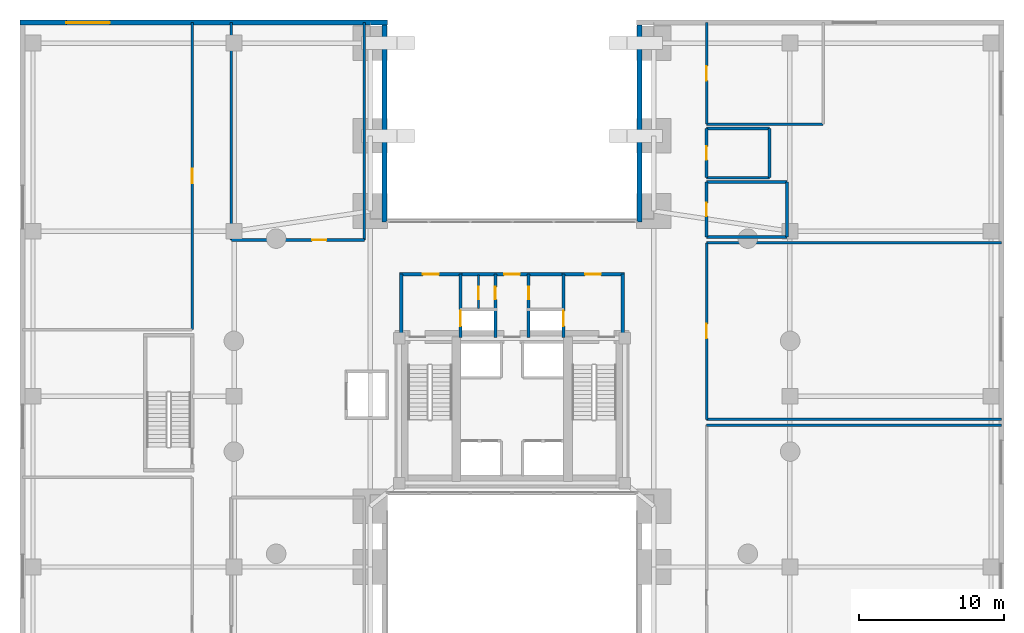
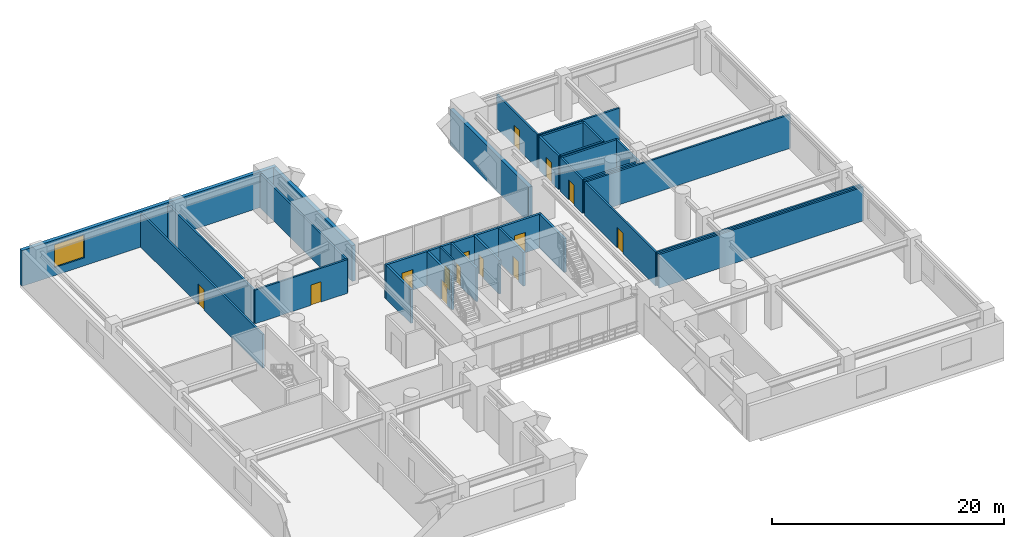
# One storey, part 11 of 14: 31 walls, 14 doors, 1 window, 15 openings.
"""IFC4 building model written with IfcOpenShell, lengths in metres."""

from ifc_helpers import new_model, si_unit, direction, frame, frame_2d, origin, place, context, subcontext, project, spatial, rectangle, extrude, material, layer, layer_set, type_object, element, fill, save


model = new_model("IFC4")

# Units and contexts
model_context = context("Model", 3, precision=1e-05, world=origin(), true_north=direction((0.0, 1.0)))
body_context = subcontext(model_context, "Body", "Model", "MODEL_VIEW")
ifc_project = project(units=[si_unit("LENGTHUNIT", "METRE"), si_unit("AREAUNIT", "SQUARE_METRE"), si_unit("VOLUMEUNIT", "CUBIC_METRE"), si_unit("PLANEANGLEUNIT", "RADIAN"), si_unit("MASSUNIT", "GRAM", prefix="KILO"), si_unit("THERMODYNAMICTEMPERATUREUNIT", "KELVIN"), si_unit("POWERUNIT", "WATT")], contexts=[model_context])

# Site, building, storey
site_placement = place(None, origin())
site = spatial("IfcSite", under=ifc_project, at=site_placement, CompositionType="ELEMENT")
building_placement = place(site_placement, origin())
building = spatial("IfcBuilding", under=site, at=building_placement, Name="Ocrelia Relay Tower", CompositionType="ELEMENT")
storey_placement = place(building_placement, frame((0.0, 0.0, 5.39990234375)))
storey = spatial("IfcBuildingStorey", under=building, at=storey_placement, Name="L01", CompositionType="ELEMENT", Elevation=5.39990234375)

# Wall, opening, door
ifc_material_1 = material(Name="Gypsum Fireboard Partition EI60", Category="gypsum")
ifc_layer_1 = layer(ifc_material_1, 0.179931640625, Name="Gypsum Fireboard Partition EI60")
ifc_layer_set_1 = layer_set([ifc_layer_1], Name="Gypsum Fireboard Partition EI60")
wall_type_1 = type_object("IfcWallType", Name="W-CORR-EI60-180", PredefinedType="PARTITIONING", material=ifc_layer_set_1)
wall_1_placement = place(storey_placement, frame((11.89990234375, 30.60009765625, 0.0), z_axis=(0.0, 0.0, 1.0), x_axis=(0.0, 1.0, 0.0)))
wall_1 = element("IfcWall", 1, at=wall_1_placement, inside=storey, type_object=wall_type_1, Name="L01 Pre-Function Reception Foyer E Partition", PredefinedType="PARTITIONING", context=body_context, shape_type="SweptSolid", body=[
    extrude(rectangle(XDim=21.219970703125, YDim=0.179931640625, at=frame_2d((10.60986328125, 0.0))), origin(), (0.0, 0.0, 1.0), 3.56005859375),
])
opening_1_placement = place(wall_1_placement, frame((10.110107421875, 0.0, 0.0)))
opening_1 = element("IfcOpeningElement", 2, at=opening_1_placement, cuts=wall_1, Name="Opening D-RM100", PredefinedType="OPENING", context=body_context, shape_type="SweptSolid", body=[
    extrude(rectangle(XDim=1.0, YDim=2.14990234375, at=frame_2d((0.5, 1.074951171875))), frame((0.0, 0.10009765625, 0.0), z_axis=(0.0, -1.0, 0.0), x_axis=(1.0, 0.0, 0.0)), (0.0, 0.0, 1.0), 0.199951171875),
])
ifc_material_2 = material(Name="Acoustic oak veneer fire door", Category="wood")
door_type_1 = type_object("IfcDoorType", Name="DR-ROOM-FD60-1000", OperationType="NOTDEFINED", PredefinedType="DOOR", material=ifc_material_2)
door_1_placement = place(opening_1_placement, origin())
door_1 = element("IfcDoor", 3, at=door_1_placement, inside=storey, type_object=door_type_1, Name="L01 Pre-Function Reception Foyer Door", OperationType="SINGLE_SWING_RIGHT", OverallHeight=2.14990234375, OverallWidth=1.0, PredefinedType="DOOR", context=body_context, shape_type="SweptSolid", body=[
    extrude(rectangle(XDim=1.0, YDim=2.14990234375, at=frame_2d((0.5, 1.074951171875))), frame((0.0, 0.02490234375, 0.0), z_axis=(0.0, -1.0, 0.0), x_axis=(1.0, 0.0, 0.0)), (0.0, 0.0, 1.0), 0.050048828125),
])
fill(opening_1, door_1)

wall_2_placement = place(storey_placement, frame((14.60009765625, 36.800048828125, 0.0), z_axis=(0.0, 0.0, 1.0), x_axis=(1.0, 0.0, 0.0)))
wall_2 = element("IfcWall", 4, at=wall_2_placement, inside=storey, type_object=wall_type_1, Name="L01 North Seminar Room S Partition", PredefinedType="PARTITIONING", context=body_context, shape_type="SweptSolid", body=[
    extrude(rectangle(XDim=9.199951171875, YDim=0.179931640625, at=frame_2d((4.60009765625, 0.0))), origin(), (0.0, 0.0, 1.0), 3.56005859375),
])
opening_2_placement = place(wall_2_placement, frame((5.580078125, 0.0, 0.0)))
opening_2 = element("IfcOpeningElement", 5, at=opening_2_placement, cuts=wall_2, Name="Opening D-RM100", PredefinedType="OPENING", context=body_context, shape_type="SweptSolid", body=[
    extrude(rectangle(XDim=1.0, YDim=2.14990234375, at=frame_2d((0.5, 1.074951171875))), frame((0.0, 0.10009765625, 0.0), z_axis=(0.0, -1.0, 0.0), x_axis=(1.0, 0.0, 0.0)), (0.0, 0.0, 1.0), 0.199951171875),
])
door_2_placement = place(opening_2_placement, origin())
door_2 = element("IfcDoor", 6, at=door_2_placement, inside=storey, type_object=door_type_1, Name="L01 North Seminar Room Door", OperationType="SINGLE_SWING_RIGHT", OverallHeight=2.14990234375, OverallWidth=1.0, PredefinedType="DOOR", context=body_context, shape_type="SweptSolid", body=[
    extrude(rectangle(XDim=1.0, YDim=2.14990234375, at=frame_2d((0.5, 1.074951171875))), frame((0.0, 0.02490234375, 0.0), z_axis=(0.0, -1.0, 0.0), x_axis=(1.0, 0.0, 0.0)), (0.0, 0.0, 1.0), 0.050048828125),
])
fill(opening_2, door_2)

# Walls
for number, where, z_axis, x_axis, name in (
    (7, (23.800048828125, 36.800048828125, 0.0), (0.0, 0.0, 1.0), (0.0, 1.0, 0.0), "L01 North Seminar Room E Partition"),
    (8, (14.60009765625, 51.820068359375, 0.0), (0.0, 0.0, 1.0), (0.0, -1.0, 0.0), "L01 North Seminar Room W Partition"),
):
    element("IfcWall", number, at=place(storey_placement, frame(where, z_axis=z_axis, x_axis=x_axis)), inside=storey, type_object=wall_type_1, Name=name, PredefinedType="PARTITIONING", context=body_context, shape_type="SweptSolid", body=[
        extrude(rectangle(XDim=15.02001953125, YDim=0.179931640625, at=frame_2d((7.510009765625, 0.0))), origin(), (0.0, 0.0, 1.0), 3.56005859375),
    ])
wall_3_placement = place(storey_placement, frame((67.820068359375, 24.0, 0.0), z_axis=(0.0, 0.0, 1.0), x_axis=(-1.0, 0.0, 0.0)))
element("IfcWall", 9, at=wall_3_placement, inside=storey, type_object=wall_type_1, Name="L01 Network Operations Observation Office N Partition", PredefinedType="PARTITIONING", context=body_context, shape_type="SweptSolid", body=[
    extrude(rectangle(XDim=20.3701171875, YDim=0.179931640625, at=frame_2d((10.18505859375, 0.0))), origin(), (0.0, 0.0, 1.0), 3.56005859375),
])

# Wall, opening, door
wall_4_placement = place(storey_placement, frame((47.449951171875, 36.60009765625, 0.0), z_axis=(0.0, 0.0, 1.0), x_axis=(0.0, -1.0, 0.0)))
wall_4 = element("IfcWall", 10, at=wall_4_placement, inside=storey, type_object=wall_type_1, Name="L01 Technical Conference Room W Partition", PredefinedType="PARTITIONING", context=body_context, shape_type="SweptSolid", body=[
    extrude(rectangle(XDim=12.2001953125, YDim=0.179931640625, at=frame_2d((6.10009765625, 0.0))), origin(), (0.0, 0.0, 1.0), 3.56005859375),
])
opening_3_placement = place(wall_4_placement, frame((5.60009765625, 0.0, 0.0)))
opening_3 = element("IfcOpeningElement", 11, at=opening_3_placement, cuts=wall_4, Name="Opening D-RM100", PredefinedType="OPENING", context=body_context, shape_type="SweptSolid", body=[
    extrude(rectangle(XDim=1.0, YDim=2.14990234375, at=frame_2d((0.5, 1.074951171875))), frame((0.0, 0.10009765625, 0.0), z_axis=(0.0, -1.0, 0.0), x_axis=(1.0, 0.0, 0.0)), (0.0, 0.0, 1.0), 0.199951171875),
])
door_3_placement = place(opening_3_placement, origin())
door_3 = element("IfcDoor", 12, at=door_3_placement, inside=storey, type_object=door_type_1, Name="L01 Technical Conference Room Door", OperationType="SINGLE_SWING_RIGHT", OverallHeight=2.14990234375, OverallWidth=1.0, PredefinedType="DOOR", context=body_context, shape_type="SweptSolid", body=[
    extrude(rectangle(XDim=1.0, YDim=2.14990234375, at=frame_2d((0.5, 1.074951171875))), frame((0.0, 0.02490234375, 0.0), z_axis=(0.0, -1.0, 0.0), x_axis=(1.0, 0.0, 0.0)), (0.0, 0.0, 1.0), 0.050048828125),
])
fill(opening_3, door_3)

# Walls
for number, where, z_axis, x_axis, name in (
    (13, (47.449951171875, 24.39990234375, 0.0), (0.0, 0.0, 1.0), (1.0, 0.0, 0.0), "L01 Technical Conference Room S Partition"),
    (14, (67.820068359375, 36.60009765625, 0.0), (0.0, 0.0, 1.0), (-1.0, 0.0, 0.0), "L01 Technical Conference Room N Partition"),
):
    element("IfcWall", number, at=place(storey_placement, frame(where, z_axis=z_axis, x_axis=x_axis)), inside=storey, type_object=wall_type_1, Name=name, PredefinedType="PARTITIONING", context=body_context, shape_type="SweptSolid", body=[
        extrude(rectangle(XDim=20.3701171875, YDim=0.179931640625, at=frame_2d((10.18505859375, 0.0))), origin(), (0.0, 0.0, 1.0), 3.56005859375),
    ])

# Wall, opening, door
wall_5_placement = place(storey_placement, frame((47.449951171875, 51.820068359375, 0.0), z_axis=(0.0, 0.0, 1.0), x_axis=(0.0, -1.0, 0.0)))
wall_5 = element("IfcWall", 15, at=wall_5_placement, inside=storey, type_object=wall_type_1, Name="L01 Catering Staff Study W Partition", PredefinedType="PARTITIONING", context=body_context, shape_type="SweptSolid", body=[
    extrude(rectangle(XDim=7.02001953125, YDim=0.179931640625, at=frame_2d((3.510009765625, 0.0))), origin(), (0.0, 0.0, 1.0), 3.56005859375),
])
opening_4_placement = place(wall_5_placement, frame((3.010009765625, 0.0, 0.0)))
opening_4 = element("IfcOpeningElement", 16, at=opening_4_placement, cuts=wall_5, Name="Opening D-RM100", PredefinedType="OPENING", context=body_context, shape_type="SweptSolid", body=[
    extrude(rectangle(XDim=1.0, YDim=2.14990234375, at=frame_2d((0.5, 1.074951171875))), frame((0.0, 0.10009765625, 0.0), z_axis=(0.0, -1.0, 0.0), x_axis=(1.0, 0.0, 0.0)), (0.0, 0.0, 1.0), 0.199951171875),
])
door_4_placement = place(opening_4_placement, origin())
door_4 = element("IfcDoor", 17, at=door_4_placement, inside=storey, type_object=door_type_1, Name="L01 Catering Staff Study Door", OperationType="SINGLE_SWING_LEFT", OverallHeight=2.14990234375, OverallWidth=1.0, PredefinedType="DOOR", context=body_context, shape_type="SweptSolid", body=[
    extrude(rectangle(XDim=1.0, YDim=2.14990234375, at=frame_2d((0.5, 1.074951171875))), frame((0.0, 0.02490234375, 0.0), z_axis=(0.0, -1.0, 0.0), x_axis=(1.0, 0.0, 0.0)), (0.0, 0.0, 1.0), 0.050048828125),
])
fill(opening_4, door_4)

# Wall
wall_6_placement = place(storey_placement, frame((47.449951171875, 44.800048828125, 0.0), z_axis=(0.0, 0.0, 1.0), x_axis=(1.0, 0.0, 0.0)))
element("IfcWall", 18, at=wall_6_placement, inside=storey, type_object=wall_type_1, Name="L01 Catering Staff Study S Partition", PredefinedType="PARTITIONING", context=body_context, shape_type="SweptSolid", body=[
    extrude(rectangle(XDim=8.050048828125, YDim=0.179931640625, at=frame_2d((4.02490234375, 0.0))), origin(), (0.0, 0.0, 1.0), 3.56005859375),
])

# Wall, opening, window
ifc_material_3 = material(Name="Precast concrete C40/50 with oxide terracotta", Category="masonry")
ifc_layer_2 = layer(ifc_material_3, 0.35009765625, Name="Precast concrete C40/50 with oxide terracotta")
ifc_layer_set_2 = layer_set([ifc_layer_2], Name="Precast concrete C40/50 with oxide terracotta")
wall_type_2 = type_object("IfcWallType", Name="W-EXT-POD-350", PredefinedType="SOLIDWALL", material=ifc_layer_set_2)
wall_7_placement = place(storey_placement, frame((0.010009765625, 51.820068359375, 0.0), z_axis=(0.0, 0.0, 1.0), x_axis=(1.0, 0.0, 0.0)))
wall_7 = element("IfcWall", 19, at=wall_7_placement, inside=storey, type_object=wall_type_2, Name="L01 Oxide Terracotta Podium Wall WN", PredefinedType="SOLIDWALL", context=body_context, shape_type="SweptSolid", body=[
    extrude(rectangle(XDim=25.369873046875, YDim=0.35009765625, at=frame_2d((12.68505859375, 0.0))), origin(), (0.0, 0.0, 1.0), 3.760009765625),
])
opening_5_placement = place(wall_7_placement, frame((3.199951171875, 0.0, 0.85009765625)))
opening_5 = element("IfcOpeningElement", 20, at=opening_5_placement, cuts=wall_7, Name="Opening W-05", PredefinedType="OPENING", context=body_context, shape_type="SweptSolid", body=[
    extrude(rectangle(XDim=3.0, YDim=2.39990234375, at=frame_2d((1.5, 1.199951171875))), frame((0.0, 0.18505859375, 0.0), z_axis=(0.0, -1.0, 0.0), x_axis=(1.0, 0.0, 0.0)), (0.0, 0.0, 1.0), 0.3701171875),
])
ifc_material_4 = material(Name="Clear double-glazed low-E glass", Category="glass")
window_type = type_object("IfcWindowType", Name="WIN-POD-3000x2600", PartitioningType="DOUBLE_PANEL_VERTICAL", PredefinedType="WINDOW", material=ifc_material_4)
window_placement = place(opening_5_placement, origin())
window = element("IfcWindow", 21, at=window_placement, inside=storey, type_object=window_type, Name="L01 Podium Punched Window WN-1", OverallHeight=2.39990234375, OverallWidth=3.0, PartitioningType="SINGLE_PANEL", PredefinedType="WINDOW", context=body_context, shape_type="SweptSolid", body=[
    extrude(rectangle(XDim=3.0, YDim=2.39990234375, at=frame_2d((1.5, 1.199951171875))), frame((0.0, 0.030029296875, 0.0), z_axis=(0.0, -1.0, 0.0), x_axis=(1.0, 0.0, 0.0)), (0.0, 0.0, 1.0), 0.06005859375),
])
fill(opening_5, window)

# Walls
for number, where, z_axis, x_axis, name in (
    (22, (25.199951171875, 51.639892578125, 0.0), (0.0, 0.0, 1.0), (0.0, -1.0, 0.0), "L01 Oxide Terracotta Podium Wall AWN"),
    (23, (42.800048828125, 38.050048828125, 0.0), (0.0, 0.0, 1.0), (0.0, 1.0, 0.0), "L01 Oxide Terracotta Podium Wall AEN"),
):
    element("IfcWall", number, at=place(storey_placement, frame(where, z_axis=z_axis, x_axis=x_axis)), inside=storey, type_object=wall_type_2, Name=name, PredefinedType="SOLIDWALL", context=body_context, shape_type="SweptSolid", body=[
        extrude(rectangle(XDim=13.58984375, YDim=0.35009765625, at=frame_2d((6.794921875, 0.0))), origin(), (0.0, 0.0, 1.0), 3.760009765625),
    ])
ifc_material_5 = material(Name="Concrete C50/60", Category="concrete")
ifc_layer_3 = layer(ifc_material_5, 0.219970703125, Name="Concrete C50/60")
ifc_layer_set_3 = layer_set([ifc_layer_3], Name="Concrete C50/60")
wall_type_3 = type_object("IfcWallType", Name="W-FFL-EI120-220", PredefinedType="SOLIDWALL", material=ifc_layer_set_3)
wall_8_placement = place(storey_placement, frame((26.35009765625, 30.050048828125, 0.0), z_axis=(0.0, 0.0, 1.0), x_axis=(0.0, 1.0, 0.0)))
element("IfcWall", 24, at=wall_8_placement, inside=storey, type_object=wall_type_3, Name="L01 W Fire Service Lift Lobby West Wall", PredefinedType="SOLIDWALL", context=body_context, shape_type="SweptSolid", body=[
    extrude(rectangle(XDim=4.3798828125, YDim=0.219970703125, at=frame_2d((2.18994140625, 0.0))), origin(), (0.0, 0.0, 1.0), 3.56005859375),
])

# Wall, opening, door
wall_9_placement = place(storey_placement, frame((30.43994140625, 30.050048828125, 0.0), z_axis=(0.0, 0.0, 1.0), x_axis=(0.0, 1.0, 0.0)))
wall_9 = element("IfcWall", 25, at=wall_9_placement, inside=storey, type_object=wall_type_3, Name="L01 W Fire Service Lift Lobby East Wall", PredefinedType="SOLIDWALL", context=body_context, shape_type="SweptSolid", body=[
    extrude(rectangle(XDim=4.3798828125, YDim=0.219970703125, at=frame_2d((2.18994140625, 0.0))), origin(), (0.0, 0.0, 1.0), 3.56005859375),
])
opening_6_placement = place(wall_9_placement, frame((0.800048828125, 0.0, 0.0)))
opening_6 = element("IfcOpeningElement", 26, at=opening_6_placement, cuts=wall_9, Name="Opening LD-FFL1", PredefinedType="OPENING", context=body_context, shape_type="SweptSolid", body=[
    extrude(rectangle(XDim=1.050048828125, YDim=2.10009765625, at=frame_2d((0.52490234375, 1.050048828125))), frame((0.0, 0.1201171875, 0.0), z_axis=(0.0, -1.0, 0.0), x_axis=(1.0, 0.0, 0.0)), (0.0, 0.0, 1.0), 0.239990234375),
])
ifc_material_6 = material(Name="Brushed stainless steel S355 lift landing door", Category="steel")
door_type_2 = type_object("IfcDoorType", Name="DR-LIFT-LAND-1050", OperationType="DOUBLE_DOOR_SLIDING", PredefinedType="USERDEFINED", material=ifc_material_6)
door_5_placement = place(opening_6_placement, origin())
door_5 = element("IfcDoor", 27, at=door_5_placement, inside=storey, type_object=door_type_2, Name="L01 Firefighting Lift FFL1 Sliding Landing Door", ObjectType="LANDING DOOR", OperationType="DOUBLE_DOOR_SLIDING", OverallHeight=2.10009765625, OverallWidth=1.050048828125, PredefinedType="USERDEFINED", context=body_context, shape_type="SweptSolid", body=[
    extrude(rectangle(XDim=1.050048828125, YDim=2.10009765625, at=frame_2d((0.52490234375, 1.050048828125))), frame((0.0, 0.02490234375, 0.0), z_axis=(0.0, -1.0, 0.0), x_axis=(1.0, 0.0, 0.0)), (0.0, 0.0, 1.0), 0.050048828125),
])
fill(opening_6, door_5)

wall_10_placement = place(storey_placement, frame((26.239990234375, 34.429931640625, 0.0), z_axis=(0.0, 0.0, 1.0), x_axis=(1.0, 0.0, 0.0)))
wall_10 = element("IfcWall", 28, at=wall_10_placement, inside=storey, type_object=wall_type_3, Name="L01 W Fire Service Lift Lobby North Wall", PredefinedType="SOLIDWALL", context=body_context, shape_type="SweptSolid", body=[
    extrude(rectangle(XDim=4.31005859375, YDim=0.219970703125, at=frame_2d((2.155029296875, 0.0))), origin(), (0.0, 0.0, 1.0), 3.56005859375),
])
opening_7_placement = place(wall_10_placement, frame((1.60009765625, 0.0, 0.0)))
opening_7 = element("IfcOpeningElement", 29, at=opening_7_placement, cuts=wall_10, Name="Opening D-FD60", PredefinedType="OPENING", context=body_context, shape_type="SweptSolid", body=[
    extrude(rectangle(XDim=1.10009765625, YDim=2.14990234375, at=frame_2d((0.550048828125, 1.074951171875))), frame((0.0, 0.1201171875, 0.0), z_axis=(0.0, -1.0, 0.0), x_axis=(1.0, 0.0, 0.0)), (0.0, 0.0, 1.0), 0.239990234375),
])
ifc_material_7 = material(Name="Timber-core 60-min acoustic fire door", Category="wood")
door_type_3 = type_object("IfcDoorType", Name="DR-LOBBY-FD60-1100", OperationType="NOTDEFINED", PredefinedType="DOOR", material=ifc_material_7)
door_6_placement = place(opening_7_placement, origin())
door_6 = element("IfcDoor", 30, at=door_6_placement, inside=storey, type_object=door_type_3, Name="L01 W Fire Service Lift Lobby Exit Door", OperationType="SINGLE_SWING_RIGHT", OverallHeight=2.14990234375, OverallWidth=1.10009765625, PredefinedType="DOOR", context=body_context, shape_type="SweptSolid", body=[
    extrude(rectangle(XDim=1.10009765625, YDim=2.14990234375, at=frame_2d((0.550048828125, 1.074951171875))), frame((0.0, 0.02490234375, 0.0), z_axis=(0.0, -1.0, 0.0), x_axis=(1.0, 0.0, 0.0)), (0.0, 0.0, 1.0), 0.050048828125),
])
fill(opening_7, door_6)

wall_11_placement = place(storey_placement, frame((37.56005859375, 30.050048828125, 0.0), z_axis=(0.0, 0.0, 1.0), x_axis=(0.0, 1.0, 0.0)))
wall_11 = element("IfcWall", 31, at=wall_11_placement, inside=storey, type_object=wall_type_3, Name="L01 E Fire Service Lift Lobby West Wall", PredefinedType="SOLIDWALL", context=body_context, shape_type="SweptSolid", body=[
    extrude(rectangle(XDim=4.3798828125, YDim=0.219970703125, at=frame_2d((2.18994140625, 0.0))), origin(), (0.0, 0.0, 1.0), 3.56005859375),
])
opening_8_placement = place(wall_11_placement, frame((0.800048828125, 0.0, 0.0)))
opening_8 = element("IfcOpeningElement", 32, at=opening_8_placement, cuts=wall_11, Name="Opening LD-FFL2", PredefinedType="OPENING", context=body_context, shape_type="SweptSolid", body=[
    extrude(rectangle(XDim=1.050048828125, YDim=2.10009765625, at=frame_2d((0.52490234375, 1.050048828125))), frame((0.0, 0.1201171875, 0.0), z_axis=(0.0, -1.0, 0.0), x_axis=(1.0, 0.0, 0.0)), (0.0, 0.0, 1.0), 0.239990234375),
])
door_7_placement = place(opening_8_placement, origin())
door_7 = element("IfcDoor", 33, at=door_7_placement, inside=storey, type_object=door_type_2, Name="L01 Firefighting Lift FFL2 Sliding Landing Door", ObjectType="LANDING DOOR", OperationType="DOUBLE_DOOR_SLIDING", OverallHeight=2.10009765625, OverallWidth=1.050048828125, PredefinedType="USERDEFINED", context=body_context, shape_type="SweptSolid", body=[
    extrude(rectangle(XDim=1.050048828125, YDim=2.10009765625, at=frame_2d((0.52490234375, 1.050048828125))), frame((0.0, 0.02490234375, 0.0), z_axis=(0.0, -1.0, 0.0), x_axis=(1.0, 0.0, 0.0)), (0.0, 0.0, 1.0), 0.050048828125),
])
fill(opening_8, door_7)

# Wall
wall_12_placement = place(storey_placement, frame((41.64990234375, 30.050048828125, 0.0), z_axis=(0.0, 0.0, 1.0), x_axis=(0.0, 1.0, 0.0)))
element("IfcWall", 34, at=wall_12_placement, inside=storey, type_object=wall_type_3, Name="L01 E Fire Service Lift Lobby East Wall", PredefinedType="SOLIDWALL", context=body_context, shape_type="SweptSolid", body=[
    extrude(rectangle(XDim=4.3798828125, YDim=0.219970703125, at=frame_2d((2.18994140625, 0.0))), origin(), (0.0, 0.0, 1.0), 3.56005859375),
])

# Wall, opening, door
wall_13_placement = place(storey_placement, frame((37.449951171875, 34.429931640625, 0.0), z_axis=(0.0, 0.0, 1.0), x_axis=(1.0, 0.0, 0.0)))
wall_13 = element("IfcWall", 35, at=wall_13_placement, inside=storey, type_object=wall_type_3, Name="L01 E Fire Service Lift Lobby North Wall", PredefinedType="SOLIDWALL", context=body_context, shape_type="SweptSolid", body=[
    extrude(rectangle(XDim=4.31005859375, YDim=0.219970703125, at=frame_2d((2.155029296875, 0.0))), origin(), (0.0, 0.0, 1.0), 3.56005859375),
])
opening_9_placement = place(wall_13_placement, frame((1.60009765625, 0.0, 0.0)))
opening_9 = element("IfcOpeningElement", 36, at=opening_9_placement, cuts=wall_13, Name="Opening D-FD60", PredefinedType="OPENING", context=body_context, shape_type="SweptSolid", body=[
    extrude(rectangle(XDim=1.10009765625, YDim=2.14990234375, at=frame_2d((0.550048828125, 1.074951171875))), frame((0.0, 0.1201171875, 0.0), z_axis=(0.0, -1.0, 0.0), x_axis=(1.0, 0.0, 0.0)), (0.0, 0.0, 1.0), 0.239990234375),
])
door_8_placement = place(opening_9_placement, origin())
door_8 = element("IfcDoor", 37, at=door_8_placement, inside=storey, type_object=door_type_3, Name="L01 E Fire Service Lift Lobby Exit Door", OperationType="SINGLE_SWING_RIGHT", OverallHeight=2.14990234375, OverallWidth=1.10009765625, PredefinedType="DOOR", context=body_context, shape_type="SweptSolid", body=[
    extrude(rectangle(XDim=1.10009765625, YDim=2.14990234375, at=frame_2d((0.550048828125, 1.074951171875))), frame((0.0, 0.02490234375, 0.0), z_axis=(0.0, -1.0, 0.0), x_axis=(1.0, 0.0, 0.0)), (0.0, 0.0, 1.0), 0.050048828125),
])
fill(opening_9, door_8)

wall_14_placement = place(storey_placement, frame((30.43994140625, 34.429931640625, 0.0), z_axis=(0.0, 0.0, 1.0), x_axis=(1.0, 0.0, 0.0)))
wall_14 = element("IfcWall", 38, at=wall_14_placement, inside=storey, type_object=wall_type_3, Name="L01 North Core Vestibule Wall", PredefinedType="SOLIDWALL", context=body_context, shape_type="SweptSolid", body=[
    extrude(rectangle(XDim=7.1201171875, YDim=0.219970703125, at=frame_2d((3.56005859375, 0.0))), origin(), (0.0, 0.0, 1.0), 3.56005859375),
])
opening_10_placement = place(wall_14_placement, frame((3.010009765625, 0.0, 0.0)))
opening_10 = element("IfcOpeningElement", 39, at=opening_10_placement, cuts=wall_14, Name="Opening D-FD60", PredefinedType="OPENING", context=body_context, shape_type="SweptSolid", body=[
    extrude(rectangle(XDim=1.10009765625, YDim=2.14990234375, at=frame_2d((0.550048828125, 1.074951171875))), frame((0.0, 0.1201171875, 0.0), z_axis=(0.0, -1.0, 0.0), x_axis=(1.0, 0.0, 0.0)), (0.0, 0.0, 1.0), 0.239990234375),
])
door_9_placement = place(opening_10_placement, origin())
door_9 = element("IfcDoor", 40, at=door_9_placement, inside=storey, type_object=door_type_3, Name="L01 North Core Vestibule Corridor Door", OperationType="SINGLE_SWING_RIGHT", OverallHeight=2.14990234375, OverallWidth=1.10009765625, PredefinedType="DOOR", context=body_context, shape_type="SweptSolid", body=[
    extrude(rectangle(XDim=1.10009765625, YDim=2.14990234375, at=frame_2d((0.550048828125, 1.074951171875))), frame((0.0, 0.02490234375, 0.0), z_axis=(0.0, -1.0, 0.0), x_axis=(1.0, 0.0, 0.0)), (0.0, 0.0, 1.0), 0.050048828125),
])
fill(opening_10, door_9)

ifc_material_8 = material(Name="Acoustic Fireboard Partition EI60", Category="gypsum")
ifc_layer_4 = layer(ifc_material_8, 0.14990234375, Name="Acoustic Fireboard Partition EI60")
ifc_layer_set_4 = layer_set([ifc_layer_4], Name="Acoustic Fireboard Partition EI60")
wall_type_4 = type_object("IfcWallType", Name="W-PART-150", PredefinedType="PARTITIONING", material=ifc_layer_set_4)
wall_15_placement = place(storey_placement, frame((31.68994140625, 32.050048828125, 0.0), z_axis=(0.0, 0.0, 1.0), x_axis=(0.0, 1.0, 0.0)))
wall_15 = element("IfcWall", 41, at=wall_15_placement, inside=storey, type_object=wall_type_4, Name="L01 West Core Support Partition", PredefinedType="PARTITIONING", context=body_context, shape_type="SweptSolid", body=[
    extrude(rectangle(XDim=2.329833984375, YDim=0.14990234375, at=frame_2d((1.1650390625, 0.0))), origin(), (0.0, 0.0, 1.0), 3.56005859375),
])
opening_11_placement = place(wall_15_placement, frame((0.64990234375, 0.0, 0.0)))
opening_11 = element("IfcOpeningElement", 42, at=opening_11_placement, cuts=wall_15, Name="Opening D-RS86", PredefinedType="OPENING", context=body_context, shape_type="SweptSolid", body=[
    extrude(rectangle(XDim=0.860107421875, YDim=2.050048828125, at=frame_2d((0.43017578125, 1.02490234375))), frame((0.0, 0.0849609375, 0.0), z_axis=(0.0, -1.0, 0.0), x_axis=(1.0, 0.0, 0.0)), (0.0, 0.0, 1.0), 0.169921875),
])
ifc_material_9 = material(Name="Steel S355 riser access fire door", Category="steel")
door_type_4 = type_object("IfcDoorType", Name="DR-RISER-TRAP-860", OperationType="NOTDEFINED", PredefinedType="TRAPDOOR", material=ifc_material_9)
door_10_placement = place(opening_11_placement, origin())
door_10 = element("IfcDoor", 43, at=door_10_placement, inside=storey, type_object=door_type_4, Name="L01 West Core Store Connecting Door", OperationType="SINGLE_SWING_LEFT", OverallHeight=2.050048828125, OverallWidth=0.860107421875, PredefinedType="TRAPDOOR", context=body_context, shape_type="SweptSolid", body=[
    extrude(rectangle(XDim=0.860107421875, YDim=2.050048828125, at=frame_2d((0.43017578125, 1.02490234375))), frame((0.0, 0.02490234375, 0.0), z_axis=(0.0, -1.0, 0.0), x_axis=(1.0, 0.0, 0.0)), (0.0, 0.0, 1.0), 0.050048828125),
])
fill(opening_11, door_10)

ifc_material_10 = material(Name="Moisture-Resistant Fireboard Chase Wall EI60", Category="gypsum")
ifc_layer_5 = layer(ifc_material_10, 0.199951171875, Name="Moisture-Resistant Fireboard Chase Wall EI60")
ifc_layer_set_5 = layer_set([ifc_layer_5], Name="Moisture-Resistant Fireboard Chase Wall EI60")
wall_type_5 = type_object("IfcWallType", Name="W-PLUMB-200", PredefinedType="PLUMBINGWALL", material=ifc_layer_set_5)
wall_16_placement = place(storey_placement, frame((47.449951171875, 40.800048828125, 0.0), z_axis=(0.0, 0.0, 1.0), x_axis=(0.0, -1.0, 0.0)))
wall_16 = element("IfcWall", 44, at=wall_16_placement, inside=storey, type_object=wall_type_5, Name="L01 Staff Toilet W Partition", PredefinedType="PLUMBINGWALL", context=body_context, shape_type="SweptSolid", body=[
    extrude(rectangle(XDim=3.800048828125, YDim=0.199951171875, at=frame_2d((1.89990234375, 0.0))), origin(), (0.0, 0.0, 1.0), 3.56005859375),
])
opening_12_placement = place(wall_16_placement, frame((1.43994140625, 0.0, 0.0)))
opening_12 = element("IfcOpeningElement", 45, at=opening_12_placement, cuts=wall_16, Name="Opening D-WC92", PredefinedType="OPENING", context=body_context, shape_type="SweptSolid", body=[
    extrude(rectangle(XDim=0.919921875, YDim=2.10009765625, at=frame_2d((0.4599609375, 1.050048828125))), frame((0.0, 0.10986328125, 0.0), z_axis=(0.0, -1.0, 0.0), x_axis=(1.0, 0.0, 0.0)), (0.0, 0.0, 1.0), 0.219970703125),
])
ifc_material_11 = material(Name="Laminate washroom door", Category="wood")
door_type_5 = type_object("IfcDoorType", Name="DR-WC-920", OperationType="NOTDEFINED", PredefinedType="DOOR", material=ifc_material_11)
door_11_placement = place(opening_12_placement, origin())
door_11 = element("IfcDoor", 46, at=door_11_placement, inside=storey, type_object=door_type_5, Name="L01 Staff Toilet Door", OperationType="SINGLE_SWING_LEFT", OverallHeight=2.10009765625, OverallWidth=0.919921875, PredefinedType="DOOR", context=body_context, shape_type="SweptSolid", body=[
    extrude(rectangle(XDim=0.919921875, YDim=2.10009765625, at=frame_2d((0.4599609375, 1.050048828125))), frame((0.0, 0.02490234375, 0.0), z_axis=(0.0, -1.0, 0.0), x_axis=(1.0, 0.0, 0.0)), (0.0, 0.0, 1.0), 0.050048828125),
])
fill(opening_12, door_11)

# Walls
wall_17_placement = place(storey_placement, frame((47.449951171875, 37.0, 0.0), z_axis=(0.0, 0.0, 1.0), x_axis=(1.0, 0.0, 0.0)))
element("IfcWall", 47, at=wall_17_placement, inside=storey, type_object=wall_type_5, Name="L01 Staff Toilet S Partition", PredefinedType="PLUMBINGWALL", context=body_context, shape_type="SweptSolid", body=[
    extrude(rectangle(XDim=5.550048828125, YDim=0.199951171875, at=frame_2d((2.77490234375, 0.0))), origin(), (0.0, 0.0, 1.0), 3.56005859375),
])
wall_18_placement = place(storey_placement, frame((53.0, 37.0, 0.0), z_axis=(0.0, 0.0, 1.0), x_axis=(0.0, 1.0, 0.0)))
element("IfcWall", 48, at=wall_18_placement, inside=storey, type_object=wall_type_5, Name="L01 Staff Toilet E Partition", PredefinedType="PLUMBINGWALL", context=body_context, shape_type="SweptSolid", body=[
    extrude(rectangle(XDim=3.800048828125, YDim=0.199951171875, at=frame_2d((1.89990234375, 0.0))), origin(), (0.0, 0.0, 1.0), 3.56005859375),
])
wall_19_placement = place(storey_placement, frame((53.0, 40.800048828125, 0.0), z_axis=(0.0, 0.0, 1.0), x_axis=(-1.0, 0.0, 0.0)))
element("IfcWall", 49, at=wall_19_placement, inside=storey, type_object=wall_type_5, Name="L01 Staff Toilet N Partition", PredefinedType="PLUMBINGWALL", context=body_context, shape_type="SweptSolid", body=[
    extrude(rectangle(XDim=5.550048828125, YDim=0.199951171875, at=frame_2d((2.77490234375, 0.0))), origin(), (0.0, 0.0, 1.0), 3.56005859375),
])

# Wall, opening, door
wall_20_placement = place(storey_placement, frame((47.449951171875, 44.5, 0.0), z_axis=(0.0, 0.0, 1.0), x_axis=(0.0, -1.0, 0.0)))
wall_20 = element("IfcWall", 50, at=wall_20_placement, inside=storey, type_object=wall_type_5, Name="L01 Accessible Toilet W Partition", PredefinedType="PLUMBINGWALL", context=body_context, shape_type="SweptSolid", body=[
    extrude(rectangle(XDim=3.39990234375, YDim=0.199951171875, at=frame_2d((1.699951171875, 0.0))), origin(), (0.0, 0.0, 1.0), 3.56005859375),
])
opening_13_placement = place(wall_20_placement, frame((1.239990234375, 0.0, 0.0)))
opening_13 = element("IfcOpeningElement", 51, at=opening_13_placement, cuts=wall_20, Name="Opening D-WC92", PredefinedType="OPENING", context=body_context, shape_type="SweptSolid", body=[
    extrude(rectangle(XDim=0.919921875, YDim=2.10009765625, at=frame_2d((0.4599609375, 1.050048828125))), frame((0.0, 0.10986328125, 0.0), z_axis=(0.0, -1.0, 0.0), x_axis=(1.0, 0.0, 0.0)), (0.0, 0.0, 1.0), 0.219970703125),
])
door_12_placement = place(opening_13_placement, origin())
door_12 = element("IfcDoor", 52, at=door_12_placement, inside=storey, type_object=door_type_5, Name="L01 Accessible Toilet Door", OperationType="SINGLE_SWING_RIGHT", OverallHeight=2.10009765625, OverallWidth=0.919921875, PredefinedType="DOOR", context=body_context, shape_type="SweptSolid", body=[
    extrude(rectangle(XDim=0.919921875, YDim=2.10009765625, at=frame_2d((0.4599609375, 1.050048828125))), frame((0.0, 0.02490234375, 0.0), z_axis=(0.0, -1.0, 0.0), x_axis=(1.0, 0.0, 0.0)), (0.0, 0.0, 1.0), 0.050048828125),
])
fill(opening_13, door_12)

# Walls
wall_21_placement = place(storey_placement, frame((47.449951171875, 41.10009765625, 0.0), z_axis=(0.0, 0.0, 1.0), x_axis=(1.0, 0.0, 0.0)))
element("IfcWall", 53, at=wall_21_placement, inside=storey, type_object=wall_type_5, Name="L01 Accessible Toilet S Partition", PredefinedType="PLUMBINGWALL", context=body_context, shape_type="SweptSolid", body=[
    extrude(rectangle(XDim=4.35009765625, YDim=0.199951171875, at=frame_2d((2.175048828125, 0.0))), origin(), (0.0, 0.0, 1.0), 3.56005859375),
])
wall_22_placement = place(storey_placement, frame((51.800048828125, 41.10009765625, 0.0), z_axis=(0.0, 0.0, 1.0), x_axis=(0.0, 1.0, 0.0)))
element("IfcWall", 54, at=wall_22_placement, inside=storey, type_object=wall_type_5, Name="L01 Accessible Toilet E Partition", PredefinedType="PLUMBINGWALL", context=body_context, shape_type="SweptSolid", body=[
    extrude(rectangle(XDim=3.39990234375, YDim=0.199951171875, at=frame_2d((1.699951171875, 0.0))), origin(), (0.0, 0.0, 1.0), 3.56005859375),
])
wall_23_placement = place(storey_placement, frame((51.800048828125, 44.5, 0.0), z_axis=(0.0, 0.0, 1.0), x_axis=(-1.0, 0.0, 0.0)))
element("IfcWall", 55, at=wall_23_placement, inside=storey, type_object=wall_type_5, Name="L01 Accessible Toilet N Partition", PredefinedType="PLUMBINGWALL", context=body_context, shape_type="SweptSolid", body=[
    extrude(rectangle(XDim=4.35009765625, YDim=0.199951171875, at=frame_2d((2.175048828125, 0.0))), origin(), (0.0, 0.0, 1.0), 3.56005859375),
])

# Wall, opening, door
ifc_layer_6 = layer(ifc_material_5, 0.199951171875, Name="Concrete C50/60")
ifc_layer_set_6 = layer_set([ifc_layer_6], Name="Concrete C50/60")
wall_type_6 = type_object("IfcWallType", Name="W-SHAFT-EI120-200", PredefinedType="SOLIDWALL", material=ifc_layer_set_6)
wall_24_placement = place(storey_placement, frame((32.85009765625, 30.050048828125, 0.0), z_axis=(0.0, 0.0, 1.0), x_axis=(0.0, 1.0, 0.0)))
wall_24 = element("IfcWall", 56, at=wall_24_placement, inside=storey, type_object=wall_type_6, Name="L01 FFL1 and Service Vestibule Wall", PredefinedType="SOLIDWALL", context=body_context, shape_type="SweptSolid", body=[
    extrude(rectangle(XDim=4.3798828125, YDim=0.199951171875, at=frame_2d((2.18994140625, 0.0))), origin(), (0.0, 0.0, 1.0), 3.56005859375),
])
opening_14_placement = place(wall_24_placement, frame((2.64990234375, 0.0, 0.0)))
opening_14 = element("IfcOpeningElement", 57, at=opening_14_placement, cuts=wall_24, Name="Opening D-RS86", PredefinedType="OPENING", context=body_context, shape_type="SweptSolid", body=[
    extrude(rectangle(XDim=0.860107421875, YDim=2.050048828125, at=frame_2d((0.43017578125, 1.02490234375))), frame((0.0, 0.10986328125, 0.0), z_axis=(0.0, -1.0, 0.0), x_axis=(1.0, 0.0, 0.0)), (0.0, 0.0, 1.0), 0.219970703125),
])
door_13_placement = place(opening_14_placement, origin())
door_13 = element("IfcDoor", 58, at=door_13_placement, inside=storey, type_object=door_type_4, Name="L01 Core Support Room W Door", OperationType="SINGLE_SWING_LEFT", OverallHeight=2.050048828125, OverallWidth=0.860107421875, PredefinedType="TRAPDOOR", context=body_context, shape_type="SweptSolid", body=[
    extrude(rectangle(XDim=0.860107421875, YDim=2.050048828125, at=frame_2d((0.43017578125, 1.02490234375))), frame((0.0, 0.02490234375, 0.0), z_axis=(0.0, -1.0, 0.0), x_axis=(1.0, 0.0, 0.0)), (0.0, 0.0, 1.0), 0.050048828125),
])
fill(opening_14, door_13)

wall_25_placement = place(storey_placement, frame((35.14990234375, 30.050048828125, 0.0), z_axis=(0.0, 0.0, 1.0), x_axis=(0.0, 1.0, 0.0)))
wall_25 = element("IfcWall", 59, at=wall_25_placement, inside=storey, type_object=wall_type_6, Name="L01 FFL2 and Service Vestibule Wall", PredefinedType="SOLIDWALL", context=body_context, shape_type="SweptSolid", body=[
    extrude(rectangle(XDim=4.3798828125, YDim=0.199951171875, at=frame_2d((2.18994140625, 0.0))), origin(), (0.0, 0.0, 1.0), 3.56005859375),
])
opening_15_placement = place(wall_25_placement, frame((2.64990234375, 0.0, 0.0)))
opening_15 = element("IfcOpeningElement", 60, at=opening_15_placement, cuts=wall_25, Name="Opening D-RS86", PredefinedType="OPENING", context=body_context, shape_type="SweptSolid", body=[
    extrude(rectangle(XDim=0.860107421875, YDim=2.050048828125, at=frame_2d((0.43017578125, 1.02490234375))), frame((0.0, 0.10986328125, 0.0), z_axis=(0.0, -1.0, 0.0), x_axis=(1.0, 0.0, 0.0)), (0.0, 0.0, 1.0), 0.219970703125),
])
door_14_placement = place(opening_15_placement, origin())
door_14 = element("IfcDoor", 61, at=door_14_placement, inside=storey, type_object=door_type_4, Name="L01 Core Support Room E Door", OperationType="SINGLE_SWING_LEFT", OverallHeight=2.050048828125, OverallWidth=0.860107421875, PredefinedType="TRAPDOOR", context=body_context, shape_type="SweptSolid", body=[
    extrude(rectangle(XDim=0.860107421875, YDim=2.050048828125, at=frame_2d((0.43017578125, 1.02490234375))), frame((0.0, 0.02490234375, 0.0), z_axis=(0.0, -1.0, 0.0), x_axis=(1.0, 0.0, 0.0)), (0.0, 0.0, 1.0), 0.050048828125),
])
fill(opening_15, door_14)

save(model, "model.ifc")
